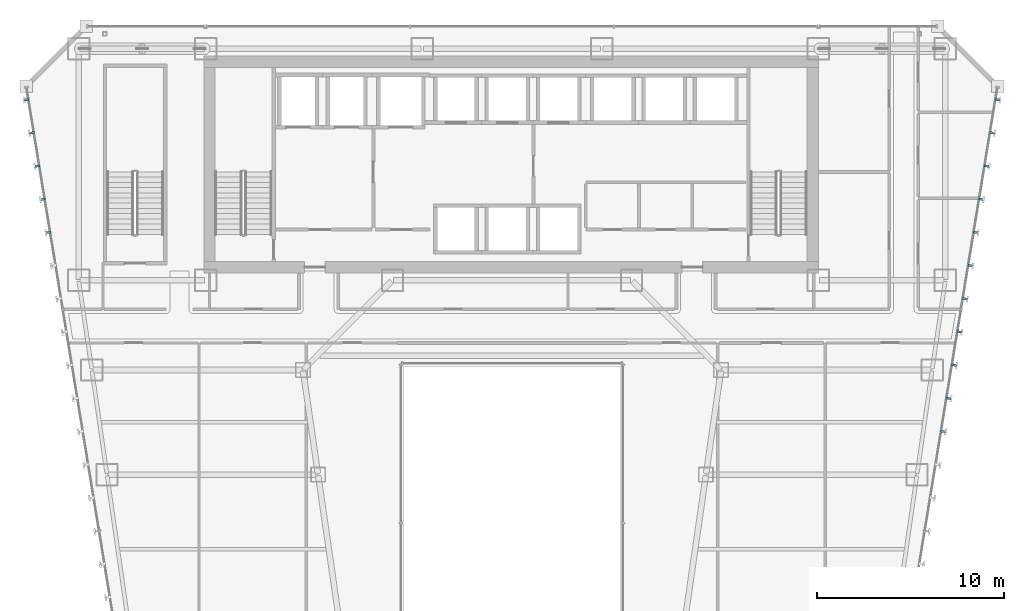
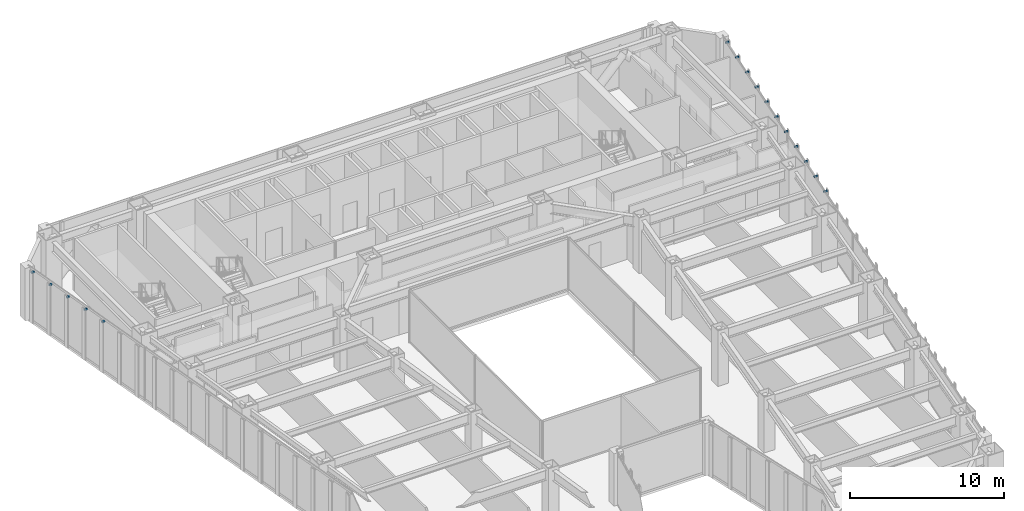
# One storey, part 40 of 49: 16 discrete accessories.
"""IFC4 building model written with IfcOpenShell, lengths in metres."""

from ifc_helpers import new_model, si_unit, direction, frame, origin, origin_2d, place, context, subcontext, project, spatial, rectangle, extrude, material, layer, layer_set, type_object, element, save


model = new_model("IFC4")

# Units and contexts
model_context = context("Model", 3, precision=1e-05, world=origin(), true_north=direction((0.0, 1.0)))
body_context = subcontext(model_context, "Body", "Model", "MODEL_VIEW")
ifc_project = project(units=[si_unit("LENGTHUNIT", "METRE"), si_unit("AREAUNIT", "SQUARE_METRE"), si_unit("VOLUMEUNIT", "CUBIC_METRE"), si_unit("PLANEANGLEUNIT", "RADIAN"), si_unit("MASSUNIT", "GRAM", prefix="KILO")], contexts=[model_context])

# Site, building, storey
site_placement = place(None, origin())
site = spatial("IfcSite", under=ifc_project, at=site_placement, CompositionType="ELEMENT")
building_placement = place(site_placement, origin())
building = spatial("IfcBuilding", under=site, at=building_placement, Name="Saevonmaru Cultural Tower", CompositionType="ELEMENT")
storey_placement = place(building_placement, frame((0.0, 0.0, 73.60009765625)))
storey = spatial("IfcBuildingStorey", under=building, at=storey_placement, Name="L15", CompositionType="ELEMENT", Elevation=73.60009765625)

# Discrete accessories
ifc_material = material(Name="Stainless Steel 316", Category="steel")
ifc_layer = layer(ifc_material, 0.1201171875, Name="Stainless Steel 316")
ifc_layer_set = layer_set([ifc_layer], Name="Stainless Steel 316")
discrete_accessory_type = type_object("IfcDiscreteAccessoryType", Name="ACC-FIN-BRKT", PredefinedType="BRACKET", material=ifc_layer_set)
for number, where, z_axis, x_axis, name in (
    (1, (53.081787109375, 34.31103515625, 3.929931640625), (0.0, 0.0, 1.0), (0.986827496189, -0.161776057456, 0.0), "L15 Bronze Fin Bracket E8-17"),
    (2, (53.372802734375, 36.08740234375, 3.929931640625), (0.0, 0.0, 1.0), (0.986827496189, -0.161776057456, 0.0), "L15 Bronze Fin Bracket E8-18"),
    (3, (53.663818359375, 37.86376953125, 3.929931640625), (0.0, 0.0, 1.0), (0.986827496189, -0.161776057456, 0.0), "L15 Bronze Fin Bracket E8-19"),
    (4, (53.955078125, 39.64013671875, 3.929931640625), (0.0, 0.0, 1.0), (0.986827496189, -0.161776057456, 0.0), "L15 Bronze Fin Bracket E8-20"),
    (5, (54.24609375, 41.41650390625, 3.929931640625), (0.0, 0.0, 1.0), (0.986827496189, -0.161776057456, 0.0), "L15 Bronze Fin Bracket E8-21"),
    (6, (54.537109375, 43.192626953125, 3.929931640625), (0.0, 0.0, 1.0), (0.986827496189, -0.161776057456, 0.0), "L15 Bronze Fin Bracket E8-22"),
    (7, (54.828125, 44.968994140625, 3.929931640625), (0.0, 0.0, 1.0), (0.986827496189, -0.161776057456, 0.0), "L15 Bronze Fin Bracket E8-23"),
    (8, (55.119384765625, 46.745361328125, 3.929931640625), (0.0, 0.0, 1.0), (0.986827496189, -0.161776057456, 0.0), "L15 Bronze Fin Bracket E8-24"),
    (9, (55.410400390625, 48.521484375, 3.929931640625), (0.0, 0.0, 1.0), (0.986827496189, -0.161776057456, 0.0), "L15 Bronze Fin Bracket E8-25"),
    (10, (55.701416015625, 50.2978515625, 3.929931640625), (0.0, 0.0, 1.0), (0.986827496189, -0.161776057456, 0.0), "L15 Bronze Fin Bracket E8-26"),
    (11, (55.992431640625, 52.07421875, 3.929931640625), (0.0, 0.0, 1.0), (0.986827496189, -0.161776057456, 0.0), "L15 Bronze Fin Bracket E8-27"),
    (12, (4.007568359375, 52.07421875, 3.929931640625), (0.0, 0.0, 1.0), (-0.986827496189, -0.161776057456, 0.0), "L15 Bronze Fin Bracket E12-01"),
    (13, (4.298583984375, 50.2978515625, 3.929931640625), (0.0, 0.0, 1.0), (-0.986827496189, -0.161776057456, 0.0), "L15 Bronze Fin Bracket E12-02"),
    (14, (4.589599609375, 48.521484375, 3.929931640625), (0.0, 0.0, 1.0), (-0.986827496189, -0.161776057456, 0.0), "L15 Bronze Fin Bracket E12-03"),
    (15, (4.880615234375, 46.745361328125, 3.929931640625), (0.0, 0.0, 1.0), (-0.986827496189, -0.161776057456, 0.0), "L15 Bronze Fin Bracket E12-04"),
    (16, (5.171875, 44.968994140625, 3.929931640625), (0.0, 0.0, 1.0), (-0.986827496189, -0.161776057456, 0.0), "L15 Bronze Fin Bracket E12-05"),
):
    element("IfcDiscreteAccessory", number, at=place(storey_placement, frame(where, z_axis=z_axis, x_axis=x_axis)), inside=storey, type_object=discrete_accessory_type, Name=name, PredefinedType="BRACKET", context=body_context, shape_type="SweptSolid", body=[
        extrude(rectangle(XDim=0.260009765625, YDim=0.1201171875, at=origin_2d()), origin(), (0.0, 0.0, 1.0), 0.1201171875),
    ])

save(model, "model.ifc")
